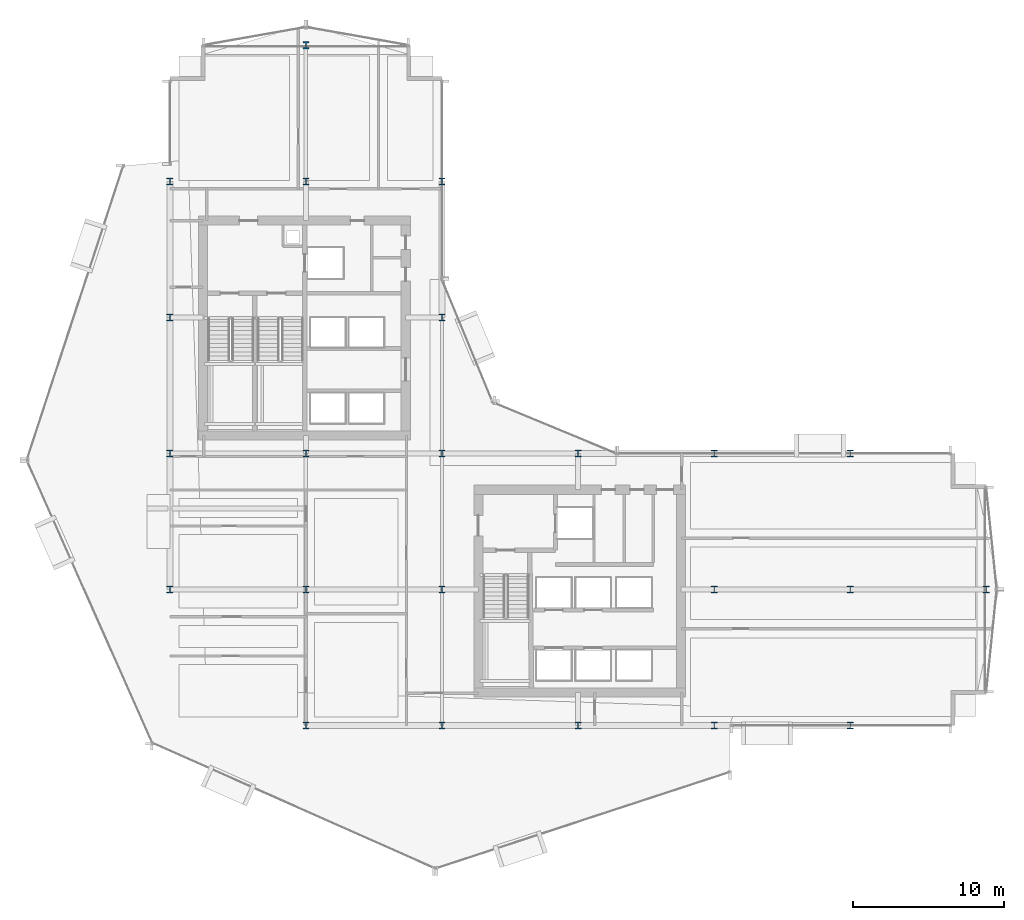
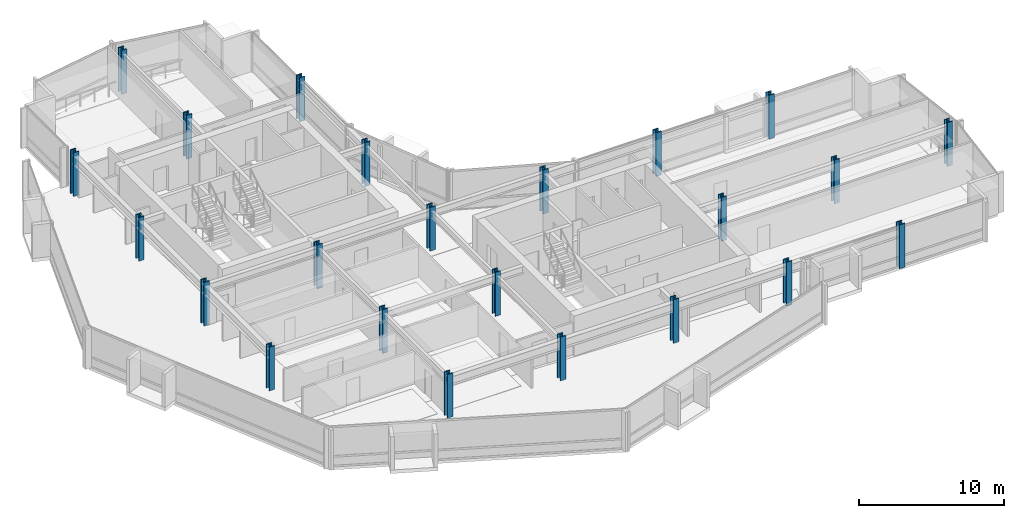
# One storey, part 1 of 34: 23 columns.
"""IFC4 building model written with IfcOpenShell, lengths in metres."""

import ifcopenshell
import ifcopenshell.guid

model = None  # the IFC model being written
_history = None  # IfcOwnerHistory: only IFC2X3 demands one
_inside = {}  # id of a spatial element -> (the spatial element, [elements in it])
_under = {}  # id of a project, library or spatial element -> (it, [spatial elements below it])
_declared = {}  # id of a project -> (the project, [libraries it declares])
_typed = {}  # id of a type object -> (the type object, [elements of that type])
_made_of = {}  # id of a material, layer set ... -> (it, [elements and type objects made of it])


def new_model(schema):
    """Start an empty IFC model of exactly this schema.

    Asked for "IFC4X3", IfcOpenShell would pick the latest addendum, in which some entities
    have other attributes; the version numbers below select the first issue.
    IFC2X3 requires an IfcOwnerHistory on every rooted entity: one is made here for all.
    """
    global model, _history
    if schema == "IFC4X3":
        model = ifcopenshell.file(schema_version=(4, 3, 0, 0))
    else:
        model = ifcopenshell.file(schema=schema)
    _inside.clear()
    _under.clear()
    _declared.clear()
    _typed.clear()
    _made_of.clear()
    _history = None
    if model.schema == "IFC2X3":
        org = make("IfcOrganization", Name="unknown")
        user = make(
            "IfcPersonAndOrganization",
            ThePerson=make("IfcPerson", FamilyName="unknown"),
            TheOrganization=org,
        )
        app = make(
            "IfcApplication",
            ApplicationDeveloper=org,
            Version="unknown",
            ApplicationFullName="unknown",
            ApplicationIdentifier="unknown",
        )
        _history = make(
            "IfcOwnerHistory",
            OwningUser=user,
            OwningApplication=app,
            ChangeAction="ADDED",
            CreationDate=0,
        )
    return model


def make(cls, **values):
    """One entity of the class cls with the attributes given. An attribute that is None is left unset."""
    return model.create_entity(
        cls, **{name: value for name, value in values.items() if value is not None}
    )


def rooted(cls, **values):
    """An entity with a GlobalId (a new one), such as an element, a storey or a relation."""
    return make(cls, GlobalId=ifcopenshell.guid.new(), OwnerHistory=_history, **values)


def si_unit(unit_type, name, prefix=None):
    """IfcSIUnit, for example si_unit("LENGTHUNIT", "METRE", prefix="MILLI")."""
    return make("IfcSIUnit", UnitType=unit_type, Prefix=prefix, Name=name)


def assignment(units):
    """IfcUnitAssignment: the units of a project."""
    return None if units is None else make("IfcUnitAssignment", Units=units)


def point(xyz):
    """IfcCartesianPoint."""
    return None if xyz is None else make("IfcCartesianPoint", Coordinates=xyz)


def direction(xyz):
    """IfcDirection."""
    return None if xyz is None else make("IfcDirection", DirectionRatios=xyz)


def frame(location, z_axis=None, x_axis=None):
    """IfcAxis2Placement3D, a coordinate frame: its origin and axes. An axis left out is left unset."""
    return make(
        "IfcAxis2Placement3D",
        Location=point(location),
        Axis=direction(z_axis),
        RefDirection=direction(x_axis),
    )


def frame_2d(location, x_axis=None):
    """IfcAxis2Placement2D, a coordinate frame in the plane: its origin and x axis."""
    return make(
        "IfcAxis2Placement2D", Location=point(location), RefDirection=direction(x_axis)
    )


def origin():
    """The frame at (0, 0, 0) with its axes left unset."""
    return frame((0.0, 0.0, 0.0))


def origin_2d():
    """The frame at (0, 0) in the plane with its x axis left unset."""
    return frame_2d((0.0, 0.0))


def place(relative_to, where):
    """IfcLocalPlacement: puts the frame where relative to a parent placement (None: the world)."""
    return make(
        "IfcLocalPlacement", PlacementRelTo=relative_to, RelativePlacement=where
    )


def context(
    kind, dimensions, precision=None, world=None, true_north=None, identifier=None
):
    """IfcGeometricRepresentationContext, for example the 3D "Model" context."""
    return make(
        "IfcGeometricRepresentationContext",
        ContextIdentifier=identifier,
        ContextType=kind,
        CoordinateSpaceDimension=dimensions,
        Precision=precision,
        WorldCoordinateSystem=world,
        TrueNorth=true_north,
    )


def subcontext(parent, identifier, kind, view, scale=None):
    """IfcGeometricRepresentationSubContext, for example "Body" below "Model"."""
    return make(
        "IfcGeometricRepresentationSubContext",
        ContextIdentifier=identifier,
        ContextType=kind,
        ParentContext=parent,
        TargetScale=scale,
        TargetView=view,
    )


def project(units=None, contexts=None):
    """IfcProject with its units and contexts."""
    return rooted(
        "IfcProject",
        Name="project",
        RepresentationContexts=contexts,
        UnitsInContext=assignment(units),
    )


def spatial(cls, under=None, at=None, **own):
    """A site, building, storey or space (cls), placed at a placement, below another one or the project."""
    s = rooted(cls, ObjectPlacement=at, **own)
    if under is not None:
        _under.setdefault(under.id(), (under, []))[1].append(s)
    return s


def profile(cls, at=None, kind="AREA", **sizes):
    """A parametric profile (cls). Its sizes go by their IFC names, for example OverallWidth=200.0."""
    return make(cls, ProfileType=kind, Position=at, **sizes)


def i_section(**sizes):
    """IfcIShapeProfileDef."""
    return profile("IfcIShapeProfileDef", **sizes)


def extrude(swept, where, along, depth):
    """IfcExtrudedAreaSolid: the profile swept, set in the frame where, extruded along a direction by depth."""
    return make(
        "IfcExtrudedAreaSolid",
        SweptArea=swept,
        Position=where,
        ExtrudedDirection=direction(along),
        Depth=depth,
    )


def shape(context_of_items, identifier, shape_type, items):
    """IfcShapeRepresentation: the items that make up one representation, for example the "Body"."""
    return make(
        "IfcShapeRepresentation",
        ContextOfItems=context_of_items,
        RepresentationIdentifier=identifier,
        RepresentationType=shape_type,
        Items=items,
    )


def material(Name=None, Category=None):
    """IfcMaterial."""
    return make("IfcMaterial", Name=Name, Category=Category)


def material_profile(
    of_material, cross_section, Name=None, Category=None, Priority=None
):
    """IfcMaterialProfile: a cross section and its material."""
    return make(
        "IfcMaterialProfile",
        Name=Name,
        Material=of_material,
        Profile=cross_section,
        Priority=Priority,
        Category=Category,
    )


def profile_set(profiles, Name=None, composite=None):
    """IfcMaterialProfileSet."""
    return make(
        "IfcMaterialProfileSet",
        Name=Name,
        MaterialProfiles=profiles,
        CompositeProfile=composite,
    )


def made_of(thing, what):
    """Note that an element or type object is made of a material, layer set ...; save() writes the relation."""
    if what is not None:
        _made_of.setdefault(what.id(), (what, []))[1].append(thing)
    return thing


def type_object(cls, material=None, **own):
    """A type object (cls), such as IfcWallType, which elements share."""
    return made_of(rooted(cls, **own), material)


def element(
    cls,
    number,
    at=None,
    inside=None,
    cuts=None,
    type_object=None,
    material=None,
    context=None,
    identifier="Body",
    shape_type=None,
    held_by="IfcProductDefinitionShape",
    body=None,
    shapes=None,
    **own,
):
    """One element of the class cls, such as IfcWall. Its Tag is "e" and its number.

    at: its placement. inside: the storey or other place that contains it. cuts: it is an
    opening in that element (IfcRelVoidsElement). A single representation is given by context,
    identifier, shape_type and body (its items); several are given by shapes. held_by: the class
    of the entity that holds the representations. save() writes the other relations.
    """
    e = rooted(cls, Tag="e%d" % number, ObjectPlacement=at, **own)
    if body is not None:
        shapes = [shape(context, identifier, shape_type, body)]
    if shapes is not None:
        e.Representation = make(held_by, Representations=shapes)
    if inside is not None:
        _inside.setdefault(inside.id(), (inside, []))[1].append(e)
    if cuts is not None:
        rooted(
            "IfcRelVoidsElement", RelatingBuildingElement=cuts, RelatedOpeningElement=e
        )
    if type_object is not None:
        _typed.setdefault(type_object.id(), (type_object, []))[1].append(e)
    return made_of(e, material)


def aggregate(whole, parts):
    """IfcRelAggregates: a whole, such as a stair, and the parts it consists of."""
    return rooted("IfcRelAggregates", RelatingObject=whole, RelatedObjects=parts)


def save(model, path):
    """Write the relations noted so far, then the file.

    IfcRelAggregates (storeys below a building ...), IfcRelContainedInSpatialStructure (elements
    in a storey), IfcRelDefinesByType, IfcRelAssociatesMaterial and IfcRelDeclares: one each for
    every whole, place, type object, material and project.
    """
    for whole, parts in _under.values():
        aggregate(whole, parts)
    for where, things in _inside.values():
        rooted(
            "IfcRelContainedInSpatialStructure",
            RelatedElements=things,
            RelatingStructure=where,
        )
    for kind, things in _typed.values():
        rooted("IfcRelDefinesByType", RelatedObjects=things, RelatingType=kind)
    for what, things in _made_of.values():
        rooted("IfcRelAssociatesMaterial", RelatedObjects=things, RelatingMaterial=what)
    for by, libraries in _declared.values():
        rooted("IfcRelDeclares", RelatingContext=by, RelatedDefinitions=libraries)
    model.write(path)


model = new_model("IFC4")

# Units and contexts
model_context = context("Model", 3, precision=1e-05, world=origin(), true_north=direction((0.0, 1.0)))
body_context = subcontext(model_context, "Body", "Model", "MODEL_VIEW")
ifc_project = project(units=[si_unit("LENGTHUNIT", "METRE"), si_unit("AREAUNIT", "SQUARE_METRE"), si_unit("VOLUMEUNIT", "CUBIC_METRE"), si_unit("PLANEANGLEUNIT", "RADIAN"), si_unit("MASSUNIT", "GRAM", prefix="KILO")], contexts=[model_context])

# Site, building, storey
site_placement = place(None, origin())
site = spatial("IfcSite", under=ifc_project, at=site_placement, CompositionType="ELEMENT")
building_placement = place(site_placement, origin())
building = spatial("IfcBuilding", under=site, at=building_placement, Name="Solvaryn Broadcast Tower", CompositionType="ELEMENT")
storey_placement = place(building_placement, frame((0.0, 0.0, 96.5)))
storey = spatial("IfcBuildingStorey", under=building, at=storey_placement, Name="L23", CompositionType="ELEMENT", Elevation=96.5)

# Columns
ifc_material_1 = material(Name="Steel ASTM A913 Grade 65", Category="steel")
ifc_material_profile_1 = material_profile(ifc_material_1, i_section(OverallWidth=0.424072265625, OverallDepth=0.47412109375, WebThickness=0.047607421875, FlangeThickness=0.0771484375, FilletRadius=0.014892578125, at=origin_2d()))
ifc_profile_set_1 = profile_set([ifc_material_profile_1], Name="Steel ASTM A913 Grade 65")
column_type_1 = type_object("IfcColumnType", Name="COL-C04E-W14X426", PredefinedType="COLUMN", material=ifc_profile_set_1)
for number, where, z_axis, x_axis, name in (
    (1, (9.0, 18.0, 0.0), (0.0, 0.0, 1.0), (1.0, 0.0, 0.0), "L23 Column (9.0, 18.0)"),
    (2, (9.0, 27.0, 0.0), (0.0, 0.0, 1.0), (1.0, 0.0, 0.0), "L23 Column (9.0, 27.0)"),
    (3, (9.0, 36.0, 0.0), (0.0, 0.0, 1.0), (1.0, 0.0, 0.0), "L23 Column (9.0, 36.0)"),
    (4, (9.0, 45.0, 0.0), (0.0, 0.0, 1.0), (1.0, 0.0, 0.0), "L23 Column (9.0, 45.0)"),
    (5, (18.0, 9.0, 0.0), (0.0, 0.0, 1.0), (1.0, 0.0, 0.0), "L23 Column (18.0, 9.0)"),
    (6, (18.0, 54.0, 0.0), (0.0, 0.0, 1.0), (1.0, 0.0, 0.0), "L23 Column (18.0, 54.0)"),
    (7, (27.0, 9.0, 0.0), (0.0, 0.0, 1.0), (1.0, 0.0, 0.0), "L23 Column (27.0, 9.0)"),
    (8, (27.0, 36.0, 0.0), (0.0, 0.0, 1.0), (1.0, 0.0, 0.0), "L23 Column (27.0, 36.0)"),
    (9, (27.0, 45.0, 0.0), (0.0, 0.0, 1.0), (1.0, 0.0, 0.0), "L23 Column (27.0, 45.0)"),
    (10, (36.0, 9.0, 0.0), (0.0, 0.0, 1.0), (1.0, 0.0, 0.0), "L23 Column (36.0, 9.0)"),
    (11, (36.0, 27.0, 0.0), (0.0, 0.0, 1.0), (1.0, 0.0, 0.0), "L23 Column (36.0, 27.0)"),
    (12, (45.0, 9.0, 0.0), (0.0, 0.0, 1.0), (1.0, 0.0, 0.0), "L23 Column (45.0, 9.0)"),
    (13, (45.0, 27.0, 0.0), (0.0, 0.0, 1.0), (1.0, 0.0, 0.0), "L23 Column (45.0, 27.0)"),
    (14, (54.0, 9.0, 0.0), (0.0, 0.0, 1.0), (1.0, 0.0, 0.0), "L23 Column (54.0, 9.0)"),
    (15, (54.0, 27.0, 0.0), (0.0, 0.0, 1.0), (1.0, 0.0, 0.0), "L23 Column (54.0, 27.0)"),
    (16, (63.0, 18.0, 0.0), (0.0, 0.0, 1.0), (1.0, 0.0, 0.0), "L23 Column (63.0, 18.0)"),
):
    element("IfcColumn", number, at=place(storey_placement, frame(where, z_axis=z_axis, x_axis=x_axis)), inside=storey, type_object=column_type_1, Name=name, PredefinedType="COLUMN", context=body_context, shape_type="SweptSolid", body=[
        extrude(i_section(OverallWidth=0.424072265625, OverallDepth=0.47412109375, WebThickness=0.047607421875, FlangeThickness=0.0771484375, FilletRadius=0.014892578125, at=origin_2d()), origin(), (0.0, 0.0, 1.0), 3.699951171875),
    ])
ifc_material_2 = material(Name="Steel ASTM A913 Grade 65", Category="steel")
ifc_material_profile_2 = material_profile(ifc_material_2, i_section(OverallWidth=0.424072265625, OverallDepth=0.47412109375, WebThickness=0.047607421875, FlangeThickness=0.0771484375, FilletRadius=0.014892578125, at=origin_2d()))
ifc_profile_set_2 = profile_set([ifc_material_profile_2], Name="Steel ASTM A913 Grade 65")
column_type_2 = type_object("IfcColumnType", Name="COL-C04I-W14X426", PredefinedType="COLUMN", material=ifc_profile_set_2)
for number, where, z_axis, x_axis, name in (
    (17, (18.0, 18.0, 0.0), (0.0, 0.0, 1.0), (1.0, 0.0, 0.0), "L23 Column (18.0, 18.0)"),
    (18, (18.0, 27.0, 0.0), (0.0, 0.0, 1.0), (1.0, 0.0, 0.0), "L23 Column (18.0, 27.0)"),
    (19, (18.0, 45.0, 0.0), (0.0, 0.0, 1.0), (1.0, 0.0, 0.0), "L23 Column (18.0, 45.0)"),
    (20, (27.0, 18.0, 0.0), (0.0, 0.0, 1.0), (1.0, 0.0, 0.0), "L23 Column (27.0, 18.0)"),
    (21, (27.0, 27.0, 0.0), (0.0, 0.0, 1.0), (1.0, 0.0, 0.0), "L23 Column (27.0, 27.0)"),
    (22, (45.0, 18.0, 0.0), (0.0, 0.0, 1.0), (1.0, 0.0, 0.0), "L23 Column (45.0, 18.0)"),
    (23, (54.0, 18.0, 0.0), (0.0, 0.0, 1.0), (1.0, 0.0, 0.0), "L23 Column (54.0, 18.0)"),
):
    element("IfcColumn", number, at=place(storey_placement, frame(where, z_axis=z_axis, x_axis=x_axis)), inside=storey, type_object=column_type_2, Name=name, PredefinedType="COLUMN", context=body_context, shape_type="SweptSolid", body=[
        extrude(i_section(OverallWidth=0.424072265625, OverallDepth=0.47412109375, WebThickness=0.047607421875, FlangeThickness=0.0771484375, FilletRadius=0.014892578125, at=origin_2d()), origin(), (0.0, 0.0, 1.0), 3.699951171875),
    ])

save(model, "model.ifc")
